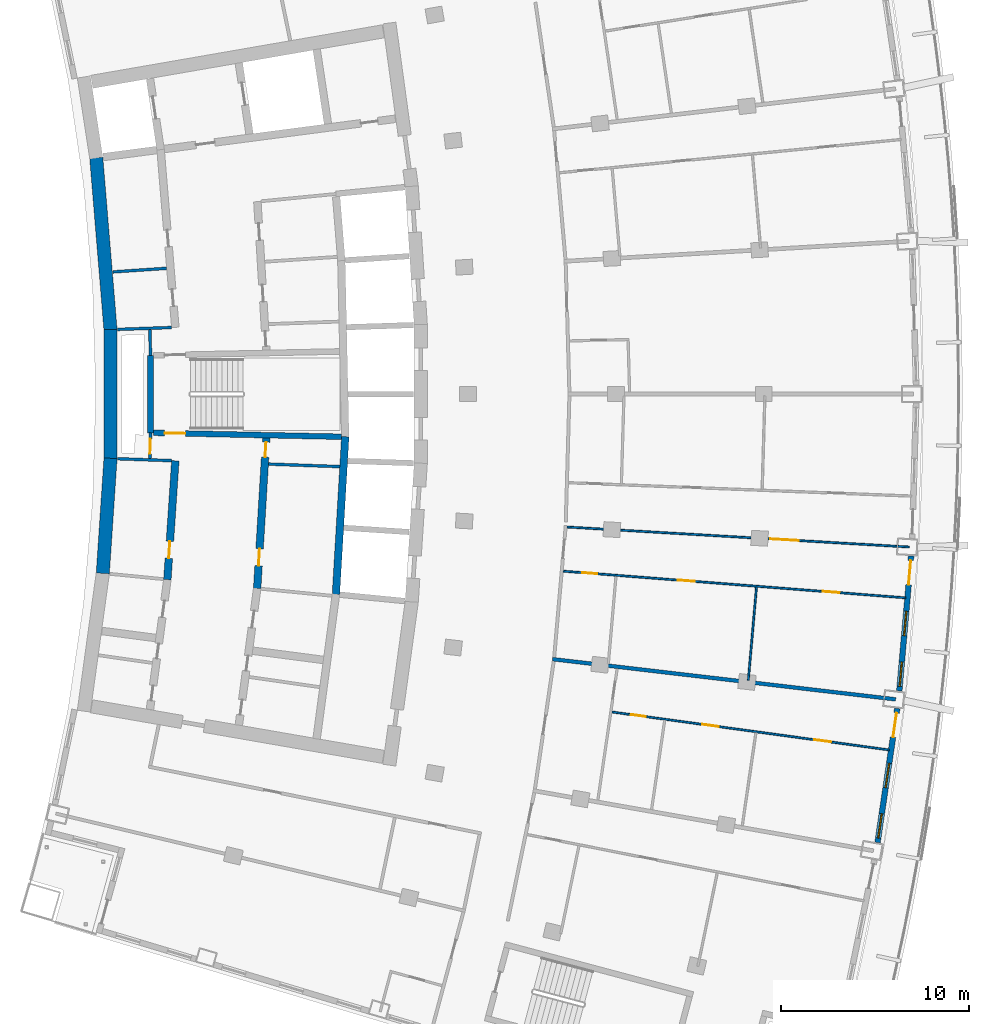
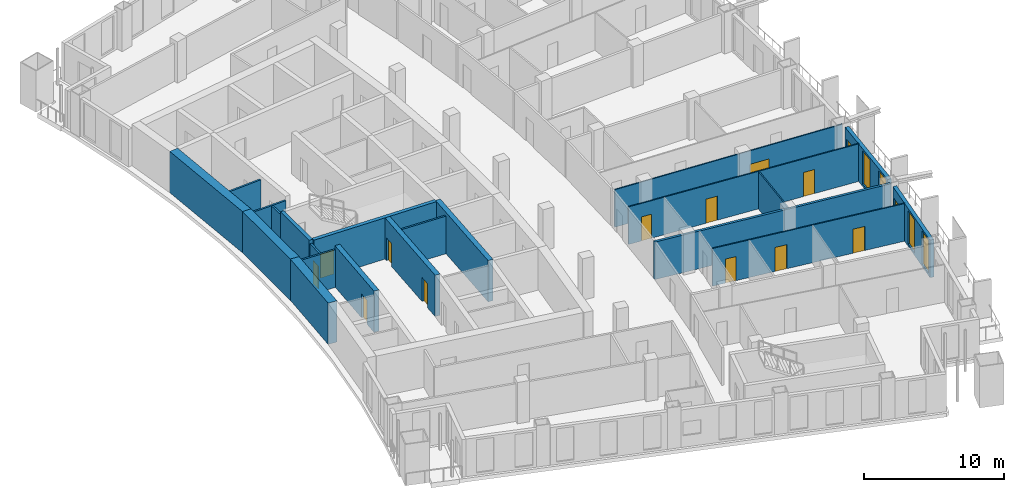
# One storey, part 12 of 20: 21 walls, 14 doors, 4 windows, 18 openings.
"""IFC4 building model written with IfcOpenShell, lengths in metres."""

import ifcopenshell
import ifcopenshell.guid

model = None  # the IFC model being written
_history = None  # IfcOwnerHistory: only IFC2X3 demands one
_inside = {}  # id of a spatial element -> (the spatial element, [elements in it])
_under = {}  # id of a project, library or spatial element -> (it, [spatial elements below it])
_declared = {}  # id of a project -> (the project, [libraries it declares])
_typed = {}  # id of a type object -> (the type object, [elements of that type])
_made_of = {}  # id of a material, layer set ... -> (it, [elements and type objects made of it])


def new_model(schema):
    """Start an empty IFC model of exactly this schema.

    Asked for "IFC4X3", IfcOpenShell would pick the latest addendum, in which some entities
    have other attributes; the version numbers below select the first issue.
    IFC2X3 requires an IfcOwnerHistory on every rooted entity: one is made here for all.
    """
    global model, _history
    if schema == "IFC4X3":
        model = ifcopenshell.file(schema_version=(4, 3, 0, 0))
    else:
        model = ifcopenshell.file(schema=schema)
    _inside.clear()
    _under.clear()
    _declared.clear()
    _typed.clear()
    _made_of.clear()
    _history = None
    if model.schema == "IFC2X3":
        org = make("IfcOrganization", Name="unknown")
        user = make(
            "IfcPersonAndOrganization",
            ThePerson=make("IfcPerson", FamilyName="unknown"),
            TheOrganization=org,
        )
        app = make(
            "IfcApplication",
            ApplicationDeveloper=org,
            Version="unknown",
            ApplicationFullName="unknown",
            ApplicationIdentifier="unknown",
        )
        _history = make(
            "IfcOwnerHistory",
            OwningUser=user,
            OwningApplication=app,
            ChangeAction="ADDED",
            CreationDate=0,
        )
    return model


def make(cls, **values):
    """One entity of the class cls with the attributes given. An attribute that is None is left unset."""
    return model.create_entity(
        cls, **{name: value for name, value in values.items() if value is not None}
    )


def rooted(cls, **values):
    """An entity with a GlobalId (a new one), such as an element, a storey or a relation."""
    return make(cls, GlobalId=ifcopenshell.guid.new(), OwnerHistory=_history, **values)


def si_unit(unit_type, name, prefix=None):
    """IfcSIUnit, for example si_unit("LENGTHUNIT", "METRE", prefix="MILLI")."""
    return make("IfcSIUnit", UnitType=unit_type, Prefix=prefix, Name=name)


def assignment(units):
    """IfcUnitAssignment: the units of a project."""
    return None if units is None else make("IfcUnitAssignment", Units=units)


def point(xyz):
    """IfcCartesianPoint."""
    return None if xyz is None else make("IfcCartesianPoint", Coordinates=xyz)


def direction(xyz):
    """IfcDirection."""
    return None if xyz is None else make("IfcDirection", DirectionRatios=xyz)


def frame(location, z_axis=None, x_axis=None):
    """IfcAxis2Placement3D, a coordinate frame: its origin and axes. An axis left out is left unset."""
    return make(
        "IfcAxis2Placement3D",
        Location=point(location),
        Axis=direction(z_axis),
        RefDirection=direction(x_axis),
    )


def frame_2d(location, x_axis=None):
    """IfcAxis2Placement2D, a coordinate frame in the plane: its origin and x axis."""
    return make(
        "IfcAxis2Placement2D", Location=point(location), RefDirection=direction(x_axis)
    )


def origin():
    """The frame at (0, 0, 0) with its axes left unset."""
    return frame((0.0, 0.0, 0.0))


def place(relative_to, where):
    """IfcLocalPlacement: puts the frame where relative to a parent placement (None: the world)."""
    return make(
        "IfcLocalPlacement", PlacementRelTo=relative_to, RelativePlacement=where
    )


def context(
    kind, dimensions, precision=None, world=None, true_north=None, identifier=None
):
    """IfcGeometricRepresentationContext, for example the 3D "Model" context."""
    return make(
        "IfcGeometricRepresentationContext",
        ContextIdentifier=identifier,
        ContextType=kind,
        CoordinateSpaceDimension=dimensions,
        Precision=precision,
        WorldCoordinateSystem=world,
        TrueNorth=true_north,
    )


def subcontext(parent, identifier, kind, view, scale=None):
    """IfcGeometricRepresentationSubContext, for example "Body" below "Model"."""
    return make(
        "IfcGeometricRepresentationSubContext",
        ContextIdentifier=identifier,
        ContextType=kind,
        ParentContext=parent,
        TargetScale=scale,
        TargetView=view,
    )


def project(units=None, contexts=None):
    """IfcProject with its units and contexts."""
    return rooted(
        "IfcProject",
        Name="project",
        RepresentationContexts=contexts,
        UnitsInContext=assignment(units),
    )


def spatial(cls, under=None, at=None, **own):
    """A site, building, storey or space (cls), placed at a placement, below another one or the project."""
    s = rooted(cls, ObjectPlacement=at, **own)
    if under is not None:
        _under.setdefault(under.id(), (under, []))[1].append(s)
    return s


def profile(cls, at=None, kind="AREA", **sizes):
    """A parametric profile (cls). Its sizes go by their IFC names, for example OverallWidth=200.0."""
    return make(cls, ProfileType=kind, Position=at, **sizes)


def rectangle(**sizes):
    """IfcRectangleProfileDef."""
    return profile("IfcRectangleProfileDef", **sizes)


def extrude(swept, where, along, depth):
    """IfcExtrudedAreaSolid: the profile swept, set in the frame where, extruded along a direction by depth."""
    return make(
        "IfcExtrudedAreaSolid",
        SweptArea=swept,
        Position=where,
        ExtrudedDirection=direction(along),
        Depth=depth,
    )


def shape(context_of_items, identifier, shape_type, items):
    """IfcShapeRepresentation: the items that make up one representation, for example the "Body"."""
    return make(
        "IfcShapeRepresentation",
        ContextOfItems=context_of_items,
        RepresentationIdentifier=identifier,
        RepresentationType=shape_type,
        Items=items,
    )


def material(Name=None, Category=None):
    """IfcMaterial."""
    return make("IfcMaterial", Name=Name, Category=Category)


def layer(
    of_material, thickness, ventilated=None, Name=None, Category=None, Priority=None
):
    """IfcMaterialLayer: one layer of a wall or slab, of a material (None: an air gap)."""
    return make(
        "IfcMaterialLayer",
        Material=of_material,
        LayerThickness=thickness,
        IsVentilated=ventilated,
        Name=Name,
        Category=Category,
        Priority=Priority,
    )


def layer_set(layers, Name=None):
    """IfcMaterialLayerSet."""
    return make("IfcMaterialLayerSet", MaterialLayers=layers, LayerSetName=Name)


def made_of(thing, what):
    """Note that an element or type object is made of a material, layer set ...; save() writes the relation."""
    if what is not None:
        _made_of.setdefault(what.id(), (what, []))[1].append(thing)
    return thing


def type_object(cls, material=None, **own):
    """A type object (cls), such as IfcWallType, which elements share."""
    return made_of(rooted(cls, **own), material)


def element(
    cls,
    number,
    at=None,
    inside=None,
    cuts=None,
    type_object=None,
    material=None,
    context=None,
    identifier="Body",
    shape_type=None,
    held_by="IfcProductDefinitionShape",
    body=None,
    shapes=None,
    **own,
):
    """One element of the class cls, such as IfcWall. Its Tag is "e" and its number.

    at: its placement. inside: the storey or other place that contains it. cuts: it is an
    opening in that element (IfcRelVoidsElement). A single representation is given by context,
    identifier, shape_type and body (its items); several are given by shapes. held_by: the class
    of the entity that holds the representations. save() writes the other relations.
    """
    e = rooted(cls, Tag="e%d" % number, ObjectPlacement=at, **own)
    if body is not None:
        shapes = [shape(context, identifier, shape_type, body)]
    if shapes is not None:
        e.Representation = make(held_by, Representations=shapes)
    if inside is not None:
        _inside.setdefault(inside.id(), (inside, []))[1].append(e)
    if cuts is not None:
        rooted(
            "IfcRelVoidsElement", RelatingBuildingElement=cuts, RelatedOpeningElement=e
        )
    if type_object is not None:
        _typed.setdefault(type_object.id(), (type_object, []))[1].append(e)
    return made_of(e, material)


def fill(opening, filler):
    """IfcRelFillsElement: the door or window that sits in an opening."""
    return rooted(
        "IfcRelFillsElement",
        RelatingOpeningElement=opening,
        RelatedBuildingElement=filler,
    )


def aggregate(whole, parts):
    """IfcRelAggregates: a whole, such as a stair, and the parts it consists of."""
    return rooted("IfcRelAggregates", RelatingObject=whole, RelatedObjects=parts)


def save(model, path):
    """Write the relations noted so far, then the file.

    IfcRelAggregates (storeys below a building ...), IfcRelContainedInSpatialStructure (elements
    in a storey), IfcRelDefinesByType, IfcRelAssociatesMaterial and IfcRelDeclares: one each for
    every whole, place, type object, material and project.
    """
    for whole, parts in _under.values():
        aggregate(whole, parts)
    for where, things in _inside.values():
        rooted(
            "IfcRelContainedInSpatialStructure",
            RelatedElements=things,
            RelatingStructure=where,
        )
    for kind, things in _typed.values():
        rooted("IfcRelDefinesByType", RelatedObjects=things, RelatingType=kind)
    for what, things in _made_of.values():
        rooted("IfcRelAssociatesMaterial", RelatedObjects=things, RelatingMaterial=what)
    for by, libraries in _declared.values():
        rooted("IfcRelDeclares", RelatingContext=by, RelatedDefinitions=libraries)
    model.write(path)


model = new_model("IFC4")

# Units and contexts
model_context = context("Model", 3, precision=1e-05, world=origin(), true_north=direction((0.0, 1.0)))
body_context = subcontext(model_context, "Body", "Model", "MODEL_VIEW")
ifc_project = project(units=[si_unit("LENGTHUNIT", "METRE"), si_unit("AREAUNIT", "SQUARE_METRE"), si_unit("VOLUMEUNIT", "CUBIC_METRE"), si_unit("PLANEANGLEUNIT", "RADIAN"), si_unit("MASSUNIT", "GRAM", prefix="KILO")], contexts=[model_context])

# Site, building, storey
site_placement = place(None, origin())
site = spatial("IfcSite", under=ifc_project, at=site_placement, CompositionType="ELEMENT")
building_placement = place(site_placement, origin())
building = spatial("IfcBuilding", under=site, at=building_placement, Name="Alderwake Tower", CompositionType="ELEMENT")
storey_placement = place(building_placement, frame((0.0, 0.0, 164.0)))
storey = spatial("IfcBuildingStorey", under=building, at=storey_placement, Name="L40", CompositionType="ELEMENT", Elevation=164.0)

# Wall
ifc_material_1 = material(Name="Gypsum shaft wall system, rated")
ifc_layer_1 = layer(ifc_material_1, 0.14990234375)
ifc_layer_set_1 = layer_set([ifc_layer_1], Name="Core riser partition 150")
wall_type_1 = type_object("IfcWallType", Name="Core riser partition 150", PredefinedType="PARTITIONING", material=ifc_layer_set_1)
wall_1_placement = place(storey_placement, frame((25.1904296875, 57.276611328125, 0.0), z_axis=(0.0, 0.0, 1.0), x_axis=(0.999373547283, -0.03539086028, 0.0)))
element("IfcWall", 1, at=wall_1_placement, inside=storey, type_object=wall_type_1, Name="CW/L40/PR-37_+86", PredefinedType="PARTITIONING", context=body_context, shape_type="SweptSolid", body=[
    extrude(rectangle(XDim=3.794189453125, YDim=0.14990234375, at=frame_2d((1.89697265625, 0.0))), origin(), (0.0, 0.0, 1.0), 3.280029296875),
])

# Wall, opening, door
ifc_material_2 = material(Name="Gypsum shaft wall system, rated")
ifc_layer_2 = layer(ifc_material_2, 0.14990234375)
ifc_layer_set_2 = layer_set([ifc_layer_2], Name="Core room partition 150")
wall_type_2 = type_object("IfcWallType", Name="Core room partition 150", PredefinedType="PARTITIONING", material=ifc_layer_set_2)
wall_2_placement = place(storey_placement, frame((18.918701171875, 58.94384765625, 0.0), z_axis=(0.0, 0.0, 1.0), x_axis=(-0.027811602725, -0.999613182563, 0.0)))
wall_2 = element("IfcWall", 2, at=wall_2_placement, inside=storey, type_object=wall_type_2, Name="CW/L40/PA+24_-37", PredefinedType="PARTITIONING", context=body_context, shape_type="SweptSolid", body=[
    extrude(rectangle(XDim=1.369384765625, YDim=0.14990234375, at=frame_2d((0.6845703125, 0.0))), origin(), (0.0, 0.0, 1.0), 3.280029296875),
])
opening_1_placement = place(wall_2_placement, frame((0.322998046875, 0.0, 0.0)))
opening_1 = element("IfcOpeningElement", 3, at=opening_1_placement, cuts=wall_2, Name="Opening C004", PredefinedType="OPENING", context=body_context, shape_type="SweptSolid", body=[
    extrude(rectangle(XDim=0.800048828125, YDim=2.0, at=frame_2d((0.39990234375, 1.0))), frame((0.0, 0.0849609375, 0.0), z_axis=(0.0, -1.0, 0.0), x_axis=(1.0, 0.0, 0.0)), (0.0, 0.0, 1.0), 0.169921875),
])
ifc_material_3 = material(Name="Painted steel leaf, rated", Category="steel")
door_type_1 = type_object("IfcDoorType", Name="Riser access door 800", OperationType="SINGLE_SWING_LEFT", PredefinedType="DOOR", material=ifc_material_3)
door_1_placement = place(opening_1_placement, origin())
door_1 = element("IfcDoor", 4, at=door_1_placement, inside=storey, type_object=door_type_1, Name="Riser access door", OperationType="SINGLE_SWING_RIGHT", OverallHeight=2.0, OverallWidth=0.800048828125, PredefinedType="DOOR", context=body_context, shape_type="SweptSolid", body=[
    extrude(rectangle(XDim=0.800048828125, YDim=2.0, at=frame_2d((0.39990234375, 1.0))), frame((0.0, 0.02490234375, 0.0), z_axis=(0.0, -1.0, 0.0), x_axis=(1.0, 0.0, 0.0)), (0.0, 0.0, 1.0), 0.050048828125),
])
fill(opening_1, door_1)

# Walls
wall_3_placement = place(storey_placement, frame((18.918701171875, 63.05517578125, 0.0), z_axis=(0.0, 0.0, 1.0), x_axis=(-0.027791791559, 0.99961373356, 0.0)))
element("IfcWall", 5, at=wall_3_placement, inside=storey, type_object=wall_type_2, Name="CW/L40/PA+24_+22", PredefinedType="PARTITIONING", context=body_context, shape_type="SweptSolid", body=[
    extrude(rectangle(XDim=1.370361328125, YDim=0.14990234375, at=frame_2d((0.68505859375, 0.0))), origin(), (0.0, 0.0, 1.0), 3.280029296875),
])
wall_4_placement = place(storey_placement, frame((17.169189453125, 57.560546875, 0.0), z_axis=(0.0, 0.0, 1.0), x_axis=(0.999373538371, -0.03539111194, 0.0)))
element("IfcWall", 6, at=wall_4_placement, inside=storey, type_object=wall_type_2, Name="CW/L40/PR-37_+0", PredefinedType="PARTITIONING", context=body_context, shape_type="SweptSolid", body=[
    extrude(rectangle(XDim=2.86962890625, YDim=0.14990234375, at=frame_2d((1.434814453125, 0.0))), origin(), (0.0, 0.0, 1.0), 3.280029296875),
])
wall_5_placement = place(storey_placement, frame((17.16943359375, 64.439453125, 0.0), z_axis=(0.0, 0.0, 1.0), x_axis=(0.999373431798, 0.035394121201, 0.0)))
element("IfcWall", 7, at=wall_5_placement, inside=storey, type_object=wall_type_2, Name="CW/L40/PR+37_+0", PredefinedType="PARTITIONING", context=body_context, shape_type="SweptSolid", body=[
    extrude(rectangle(XDim=2.869384765625, YDim=0.14990234375, at=frame_2d((1.4345703125, 0.0))), origin(), (0.0, 0.0, 1.0), 3.280029296875),
])
wall_6_placement = place(storey_placement, frame((16.916015625, 67.497314453125, 0.0), z_axis=(0.0, 0.0, 1.0), x_axis=(0.997762488798, 0.066858177867, 0.0)))
element("IfcWall", 8, at=wall_6_placement, inside=storey, type_object=wall_type_2, Name="CW/L40/PR+70_+0", PredefinedType="PARTITIONING", context=body_context, shape_type="SweptSolid", body=[
    extrude(rectangle(XDim=2.866455078125, YDim=0.14990234375, at=frame_2d((1.43310546875, 0.0))), origin(), (0.0, 0.0, 1.0), 3.280029296875),
])
ifc_material_4 = material(Name="Concrete C70/85", Category="concrete")
ifc_layer_3 = layer(ifc_material_4, 0.699951171875)
ifc_layer_set_3 = layer_set([ifc_layer_3], Name="Core wall outer 700 C70-85")
wall_type_3 = type_object("IfcWallType", Name="Core wall outer 700 C70-85", PredefinedType="SHEAR", material=ifc_layer_set_3)
wall_7_placement = place(storey_placement, frame((16.379638671875, 51.46337890625, 0.0), z_axis=(0.0, 0.0, 1.0), x_axis=(0.066917731608, 0.997758496429, 0.0)))
element("IfcWall", 9, at=wall_7_placement, inside=storey, type_object=wall_type_3, Name="Core wall CW.041", PredefinedType="SHEAR", context=body_context, shape_type="SweptSolid", body=[
    extrude(rectangle(XDim=6.136474609375, YDim=0.699951171875, at=frame_2d((3.068359375, 0.0))), origin(), (0.0, 0.0, 1.0), 3.60009765625),
])
wall_8_placement = place(storey_placement, frame((16.789306640625, 57.561767578125, 0.0), z_axis=(0.0, 0.0, 1.0), x_axis=(0.0, 1.0, 0.0)))
element("IfcWall", 10, at=wall_8_placement, inside=storey, type_object=wall_type_3, Name="Core wall CW.043", PredefinedType="SHEAR", context=body_context, shape_type="SweptSolid", body=[
    extrude(rectangle(XDim=6.87939453125, YDim=0.699951171875, at=frame_2d((3.439697265625, 0.0))), origin(), (0.0, 0.0, 1.0), 3.60009765625),
])
wall_9_placement = place(storey_placement, frame((16.79052734375, 64.4111328125, 0.0), z_axis=(0.0, 0.0, 1.0), x_axis=(-0.082616907099, 0.996581379849, 0.0)))
element("IfcWall", 11, at=wall_9_placement, inside=storey, type_object=wall_type_3, Name="Core wall CW.040", PredefinedType="SHEAR", context=body_context, shape_type="SweptSolid", body=[
    extrude(rectangle(XDim=9.193359375, YDim=0.699951171875, at=frame_2d((4.5966796875, 0.0))), origin(), (0.0, 0.0, 1.0), 3.60009765625),
])

# Wall, opening, door
ifc_material_5 = material(Name="Concrete C70/85", Category="concrete")
ifc_layer_4 = layer(ifc_material_5, 0.39990234375)
ifc_layer_set_4 = layer_set([ifc_layer_4], Name="Core wall spine 400 C70-85")
wall_type_4 = type_object("IfcWallType", Name="Core wall spine 400 C70-85", PredefinedType="SHEAR", material=ifc_layer_set_4)
wall_10_placement = place(storey_placement, frame((20.2373046875, 57.451904296875, 0.0), z_axis=(0.0, 0.0, 1.0), x_axis=(-0.066887252767, -0.997760540118, 0.0)))
wall_10 = element("IfcWall", 12, at=wall_10_placement, inside=storey, type_object=wall_type_4, Name="Core wall CW.032", PredefinedType="SHEAR", context=body_context, shape_type="SweptSolid", body=[
    extrude(rectangle(XDim=6.33642578125, YDim=0.39990234375, at=frame_2d((3.168212890625, 0.0))), origin(), (0.0, 0.0, 1.0), 3.60009765625),
])
opening_2_placement = place(wall_10_placement, frame((4.29736328125, 0.0, 0.0)))
opening_2 = element("IfcOpeningElement", 13, at=opening_2_placement, cuts=wall_10, Name="Opening C040", PredefinedType="OPENING", context=body_context, shape_type="SweptSolid", body=[
    extrude(rectangle(XDim=0.89990234375, YDim=2.10009765625, at=frame_2d((0.449951171875, 1.050048828125))), frame((0.0, 0.2099609375, 0.0), z_axis=(0.0, -1.0, 0.0), x_axis=(1.0, 0.0, 0.0)), (0.0, 0.0, 1.0), 0.419921875),
])
ifc_material_6 = material(Name="Painted steel leaf", Category="steel")
door_type_2 = type_object("IfcDoorType", Name="Core room door 900", OperationType="SINGLE_SWING_LEFT", PredefinedType="DOOR", material=ifc_material_6)
door_2_placement = place(opening_2_placement, origin())
door_2 = element("IfcDoor", 14, at=door_2_placement, inside=storey, type_object=door_type_2, Name="Room door", OperationType="SINGLE_SWING_RIGHT", OverallHeight=2.10009765625, OverallWidth=0.89990234375, PredefinedType="DOOR", context=body_context, shape_type="SweptSolid", body=[
    extrude(rectangle(XDim=0.89990234375, YDim=2.10009765625, at=frame_2d((0.449951171875, 1.050048828125))), frame((0.0, 0.02490234375, 0.0), z_axis=(0.0, -1.0, 0.0), x_axis=(1.0, 0.0, 0.0)), (0.0, 0.0, 1.0), 0.050048828125),
])
fill(opening_2, door_2)

# Wall, openings, doors
wall_11_placement = place(storey_placement, frame((24.590087890625, 50.656982421875, 0.0), z_axis=(0.0, 0.0, 1.0), x_axis=(0.060320473855, 0.99817906231, 0.0)))
wall_11 = element("IfcWall", 15, at=wall_11_placement, inside=storey, type_object=wall_type_4, Name="Core wall CW.046", PredefinedType="SHEAR", context=body_context, shape_type="SweptSolid", body=[
    extrude(rectangle(XDim=8.02197265625, YDim=0.39990234375, at=frame_2d((4.010986328125, 0.0))), origin(), (0.0, 0.0, 1.0), 3.60009765625),
])
opening_3_placement = place(wall_11_placement, frame((7.005859375, 0.0, 0.0)))
opening_3 = element("IfcOpeningElement", 16, at=opening_3_placement, cuts=wall_11, Name="Opening C006", PredefinedType="OPENING", context=body_context, shape_type="SweptSolid", body=[
    extrude(rectangle(XDim=0.800048828125, YDim=2.0, at=frame_2d((0.39990234375, 1.0))), frame((0.0, 0.2099609375, 0.0), z_axis=(0.0, -1.0, 0.0), x_axis=(1.0, 0.0, 0.0)), (0.0, 0.0, 1.0), 0.419921875),
])
opening_4_placement = place(wall_11_placement, frame((1.21533203125, 0.0, 0.0)))
opening_4 = element("IfcOpeningElement", 17, at=opening_4_placement, cuts=wall_11, Name="Opening C046", PredefinedType="OPENING", context=body_context, shape_type="SweptSolid", body=[
    extrude(rectangle(XDim=0.89990234375, YDim=2.10009765625, at=frame_2d((0.449951171875, 1.050048828125))), frame((0.0, 0.2099609375, 0.0), z_axis=(0.0, -1.0, 0.0), x_axis=(1.0, 0.0, 0.0)), (0.0, 0.0, 1.0), 0.419921875),
])
door_3_placement = place(opening_4_placement, origin())
door_3 = element("IfcDoor", 18, at=door_3_placement, inside=storey, type_object=door_type_2, Name="Room door", OperationType="SINGLE_SWING_RIGHT", OverallHeight=2.10009765625, OverallWidth=0.89990234375, PredefinedType="DOOR", context=body_context, shape_type="SweptSolid", body=[
    extrude(rectangle(XDim=0.89990234375, YDim=2.10009765625, at=frame_2d((0.449951171875, 1.050048828125))), frame((0.0, 0.02490234375, 0.0), z_axis=(0.0, -1.0, 0.0), x_axis=(1.0, 0.0, 0.0)), (0.0, 0.0, 1.0), 0.050048828125),
])
fill(opening_4, door_3)
door_4_placement = place(opening_3_placement, origin())
door_4 = element("IfcDoor", 19, at=door_4_placement, inside=storey, type_object=door_type_1, Name="Riser access door", OperationType="SINGLE_SWING_RIGHT", OverallHeight=2.0, OverallWidth=0.800048828125, PredefinedType="DOOR", context=body_context, shape_type="SweptSolid", body=[
    extrude(rectangle(XDim=0.800048828125, YDim=2.0, at=frame_2d((0.39990234375, 1.0))), frame((0.0, 0.02490234375, 0.0), z_axis=(0.0, -1.0, 0.0), x_axis=(1.0, 0.0, 0.0)), (0.0, 0.0, 1.0), 0.050048828125),
])
fill(opening_3, door_4)

# Walls
wall_12_placement = place(storey_placement, frame((28.780029296875, 50.347900390625, 0.0), z_axis=(0.0, 0.0, 1.0), x_axis=(0.059130817733, 0.998250242371, 0.0)))
element("IfcWall", 20, at=wall_12_placement, inside=storey, type_object=wall_type_4, Name="Core wall CW.004", PredefinedType="SHEAR", context=body_context, shape_type="SweptSolid", body=[
    extrude(rectangle(XDim=8.402099609375, YDim=0.39990234375, at=frame_2d((4.201171875, 0.0))), origin(), (0.0, 0.0, 1.0), 3.60009765625),
])
ifc_material_7 = material(Name="Concrete C70/85", Category="concrete")
ifc_layer_5 = layer(ifc_material_7, 0.300048828125)
ifc_layer_set_5 = layer_set([ifc_layer_5], Name="Core wall stair enclosure 300 C70-85")
wall_type_5 = type_object("IfcWallType", Name="Core wall stair enclosure 300 C70-85", PredefinedType="SHEAR", material=ifc_layer_set_5)
wall_13_placement = place(storey_placement, frame((18.918701171875, 58.940673828125, 0.0), z_axis=(0.0, 0.0, 1.0), x_axis=(0.0, 1.0, 0.0)))
element("IfcWall", 21, at=wall_13_placement, inside=storey, type_object=wall_type_5, Name="Core wall CW.024", PredefinedType="SHEAR", context=body_context, shape_type="SweptSolid", body=[
    extrude(rectangle(XDim=4.11962890625, YDim=0.300048828125, at=frame_2d((2.059814453125, 0.0))), origin(), (0.0, 0.0, 1.0), 3.60009765625),
])

# Wall, opening, door
wall_14_placement = place(storey_placement, frame((29.076416015625, 58.73095703125, 0.0), z_axis=(0.0, 0.0, 1.0), x_axis=(-0.99978356433, 0.020804434533, 0.0)))
wall_14 = element("IfcWall", 22, at=wall_14_placement, inside=storey, type_object=wall_type_5, Name="Core wall CW.074", PredefinedType="SHEAR", context=body_context, shape_type="SweptSolid", body=[
    extrude(rectangle(XDim=10.010009765625, YDim=0.300048828125, at=frame_2d((5.0048828125, 0.0))), origin(), (0.0, 0.0, 1.0), 3.60009765625),
])
opening_5_placement = place(wall_14_placement, frame((8.309814453125, 0.0, 0.0)))
opening_5 = element("IfcOpeningElement", 23, at=opening_5_placement, cuts=wall_14, Name="Opening C063", PredefinedType="OPENING", context=body_context, shape_type="SweptSolid", body=[
    extrude(rectangle(XDim=1.10009765625, YDim=2.10009765625, at=frame_2d((0.550048828125, 1.050048828125))), frame((0.0, 0.159912109375, 0.0), z_axis=(0.0, -1.0, 0.0), x_axis=(1.0, 0.0, 0.0)), (0.0, 0.0, 1.0), 0.320068359375),
])
ifc_material_8 = material(Name="Steel-framed fire door leaf", Category="steel")
door_type_3 = type_object("IfcDoorType", Name="Core stair door 1100 fire-rated", OperationType="SINGLE_SWING_LEFT", PredefinedType="DOOR", material=ifc_material_8)
door_5_placement = place(opening_5_placement, origin())
door_5 = element("IfcDoor", 24, at=door_5_placement, inside=storey, type_object=door_type_3, Name="Stair door", OperationType="SINGLE_SWING_RIGHT", OverallHeight=2.10009765625, OverallWidth=1.10009765625, PredefinedType="DOOR", context=body_context, shape_type="SweptSolid", body=[
    extrude(rectangle(XDim=1.10009765625, YDim=2.10009765625, at=frame_2d((0.550048828125, 1.050048828125))), frame((0.0, 0.02490234375, 0.0), z_axis=(0.0, -1.0, 0.0), x_axis=(1.0, 0.0, 0.0)), (0.0, 0.0, 1.0), 0.050048828125),
])
fill(opening_5, door_5)

# Wall, openings, door, windows
ifc_material_9 = material(Name="Precast concrete C50/60 spandrel panel", Category="concrete")
ifc_layer_6 = layer(ifc_material_9, 0.300048828125)
ifc_layer_set_6 = layer_set([ifc_layer_6], Name="External wall EW1 Precast concrete C50/60 spandrel")
wall_type_6 = type_object("IfcWallType", Name="External wall EW1 Precast concrete C50/60 spandrel", PredefinedType="SOLIDWALL", material=ifc_layer_set_6)
wall_15_placement = place(storey_placement, frame((57.585693359375, 37.15380859375, 0.0), z_axis=(0.0, 0.0, 1.0), x_axis=(0.145318248107, 0.989384963888, 0.0)))
wall_15 = element("IfcWall", 25, at=wall_15_placement, inside=storey, type_object=wall_type_6, Name="External wall 13", PredefinedType="SOLIDWALL", context=body_context, shape_type="SweptSolid", body=[
    extrude(rectangle(XDim=7.198974609375, YDim=0.300048828125, at=frame_2d((3.599609375, 0.0))), origin(), (0.0, 0.0, 1.0), 3.280029296875),
])
opening_6_placement = place(wall_15_placement, frame((0.2392578125, 0.0, 0.199951171875)))
opening_6 = element("IfcOpeningElement", 26, at=opening_6_placement, cuts=wall_15, Name="Opening W1", PredefinedType="OPENING", context=body_context, shape_type="SweptSolid", body=[
    extrude(rectangle(XDim=1.300048828125, YDim=2.89990234375, at=frame_2d((0.64990234375, 1.449951171875))), frame((0.0, 0.159912109375, 0.0), z_axis=(0.0, -1.0, 0.0), x_axis=(1.0, 0.0, 0.0)), (0.0, 0.0, 1.0), 0.320068359375),
])
opening_7_placement = place(wall_15_placement, frame((2.949462890625, 0.0, 0.199951171875)))
opening_7 = element("IfcOpeningElement", 27, at=opening_7_placement, cuts=wall_15, Name="Opening W1", PredefinedType="OPENING", context=body_context, shape_type="SweptSolid", body=[
    extrude(rectangle(XDim=1.300048828125, YDim=2.89990234375, at=frame_2d((0.64990234375, 1.449951171875))), frame((0.0, 0.159912109375, 0.0), z_axis=(0.0, -1.0, 0.0), x_axis=(1.0, 0.0, 0.0)), (0.0, 0.0, 1.0), 0.320068359375),
])
opening_8_placement = place(wall_15_placement, frame((5.65966796875, 0.0, 0.0)))
opening_8 = element("IfcOpeningElement", 28, at=opening_8_placement, cuts=wall_15, Name="Opening D03", PredefinedType="OPENING", context=body_context, shape_type="SweptSolid", body=[
    extrude(rectangle(XDim=1.300048828125, YDim=2.39990234375, at=frame_2d((0.64990234375, 1.199951171875))), frame((0.0, 0.159912109375, 0.0), z_axis=(0.0, -1.0, 0.0), x_axis=(1.0, 0.0, 0.0)), (0.0, 0.0, 1.0), 0.320068359375),
])
ifc_material_10 = material(Name="Bronze tinted glass in aluminium frame", Category="aluminium")
door_type_4 = type_object("IfcDoorType", Name="Balcony door BD sliding", OperationType="SLIDING_TO_LEFT", PredefinedType="DOOR", material=ifc_material_10)
door_6_placement = place(opening_8_placement, origin())
door_6 = element("IfcDoor", 29, at=door_6_placement, inside=storey, type_object=door_type_4, Name="Door D03", OperationType="SLIDING_TO_LEFT", OverallHeight=2.39990234375, OverallWidth=1.300048828125, PredefinedType="DOOR", context=body_context, shape_type="SweptSolid", body=[
    extrude(rectangle(XDim=1.300048828125, YDim=2.39990234375, at=frame_2d((0.64990234375, 1.199951171875))), frame((0.0, 0.02490234375, 0.0), z_axis=(0.0, -1.0, 0.0), x_axis=(1.0, 0.0, 0.0)), (0.0, 0.0, 1.0), 0.050048828125),
])
fill(opening_8, door_6)
ifc_material_11 = material(Name="Bronze tinted glass in aluminium frame", Category="aluminium")
window_type = type_object("IfcWindowType", Name="Window W1 tall fixed and vent", PartitioningType="DOUBLE_PANEL_VERTICAL", PredefinedType="WINDOW", material=ifc_material_11)
window_1_placement = place(opening_6_placement, origin())
window_1 = element("IfcWindow", 30, at=window_1_placement, inside=storey, type_object=window_type, Name="Window W1 tall fixed and vent", OverallHeight=2.89990234375, OverallWidth=1.300048828125, PartitioningType="DOUBLE_PANEL_VERTICAL", PredefinedType="WINDOW", context=body_context, shape_type="SweptSolid", body=[
    extrude(rectangle(XDim=1.300048828125, YDim=2.89990234375, at=frame_2d((0.64990234375, 1.449951171875))), frame((0.0, 0.030029296875, 0.0), z_axis=(0.0, -1.0, 0.0), x_axis=(1.0, 0.0, 0.0)), (0.0, 0.0, 1.0), 0.06005859375),
])
fill(opening_6, window_1)
window_2_placement = place(opening_7_placement, origin())
window_2 = element("IfcWindow", 31, at=window_2_placement, inside=storey, type_object=window_type, Name="Window W1 tall fixed and vent", OverallHeight=2.89990234375, OverallWidth=1.300048828125, PartitioningType="DOUBLE_PANEL_VERTICAL", PredefinedType="WINDOW", context=body_context, shape_type="SweptSolid", body=[
    extrude(rectangle(XDim=1.300048828125, YDim=2.89990234375, at=frame_2d((0.64990234375, 1.449951171875))), frame((0.0, 0.030029296875, 0.0), z_axis=(0.0, -1.0, 0.0), x_axis=(1.0, 0.0, 0.0)), (0.0, 0.0, 1.0), 0.06005859375),
])
fill(opening_7, window_2)

wall_16_placement = place(storey_placement, frame((58.741943359375, 45.2158203125, 0.0), z_axis=(0.0, 0.0, 1.0), x_axis=(0.087397918497, 0.996173480797, 0.0)))
wall_16 = element("IfcWall", 32, at=wall_16_placement, inside=storey, type_object=wall_type_6, Name="External wall 14", PredefinedType="SOLIDWALL", context=body_context, shape_type="SweptSolid", body=[
    extrude(rectangle(XDim=7.19873046875, YDim=0.300048828125, at=frame_2d((3.599365234375, 0.0))), origin(), (0.0, 0.0, 1.0), 3.280029296875),
])
opening_9_placement = place(wall_16_placement, frame((0.2392578125, 0.0, 0.199951171875)))
opening_9 = element("IfcOpeningElement", 33, at=opening_9_placement, cuts=wall_16, Name="Opening W1", PredefinedType="OPENING", context=body_context, shape_type="SweptSolid", body=[
    extrude(rectangle(XDim=1.300048828125, YDim=2.89990234375, at=frame_2d((0.64990234375, 1.449951171875))), frame((0.0, 0.159912109375, 0.0), z_axis=(0.0, -1.0, 0.0), x_axis=(1.0, 0.0, 0.0)), (0.0, 0.0, 1.0), 0.320068359375),
])
opening_10_placement = place(wall_16_placement, frame((2.949462890625, 0.0, 0.199951171875)))
opening_10 = element("IfcOpeningElement", 34, at=opening_10_placement, cuts=wall_16, Name="Opening W1", PredefinedType="OPENING", context=body_context, shape_type="SweptSolid", body=[
    extrude(rectangle(XDim=1.300048828125, YDim=2.89990234375, at=frame_2d((0.64990234375, 1.449951171875))), frame((0.0, 0.159912109375, 0.0), z_axis=(0.0, -1.0, 0.0), x_axis=(1.0, 0.0, 0.0)), (0.0, 0.0, 1.0), 0.320068359375),
])
opening_11_placement = place(wall_16_placement, frame((5.65966796875, 0.0, 0.0)))
opening_11 = element("IfcOpeningElement", 35, at=opening_11_placement, cuts=wall_16, Name="Opening D04", PredefinedType="OPENING", context=body_context, shape_type="SweptSolid", body=[
    extrude(rectangle(XDim=1.300048828125, YDim=2.39990234375, at=frame_2d((0.64990234375, 1.199951171875))), frame((0.0, 0.159912109375, 0.0), z_axis=(0.0, -1.0, 0.0), x_axis=(1.0, 0.0, 0.0)), (0.0, 0.0, 1.0), 0.320068359375),
])
door_7_placement = place(opening_11_placement, origin())
door_7 = element("IfcDoor", 36, at=door_7_placement, inside=storey, type_object=door_type_4, Name="Door D04", OperationType="SLIDING_TO_LEFT", OverallHeight=2.39990234375, OverallWidth=1.300048828125, PredefinedType="DOOR", context=body_context, shape_type="SweptSolid", body=[
    extrude(rectangle(XDim=1.300048828125, YDim=2.39990234375, at=frame_2d((0.64990234375, 1.199951171875))), frame((0.0, 0.02490234375, 0.0), z_axis=(0.0, -1.0, 0.0), x_axis=(1.0, 0.0, 0.0)), (0.0, 0.0, 1.0), 0.050048828125),
])
fill(opening_11, door_7)
window_3_placement = place(opening_9_placement, origin())
window_3 = element("IfcWindow", 37, at=window_3_placement, inside=storey, type_object=window_type, Name="Window W1 tall fixed and vent", OverallHeight=2.89990234375, OverallWidth=1.300048828125, PartitioningType="DOUBLE_PANEL_VERTICAL", PredefinedType="WINDOW", context=body_context, shape_type="SweptSolid", body=[
    extrude(rectangle(XDim=1.300048828125, YDim=2.89990234375, at=frame_2d((0.64990234375, 1.449951171875))), frame((0.0, 0.030029296875, 0.0), z_axis=(0.0, -1.0, 0.0), x_axis=(1.0, 0.0, 0.0)), (0.0, 0.0, 1.0), 0.06005859375),
])
fill(opening_9, window_3)
window_4_placement = place(opening_10_placement, origin())
window_4 = element("IfcWindow", 38, at=window_4_placement, inside=storey, type_object=window_type, Name="Window W1 tall fixed and vent", OverallHeight=2.89990234375, OverallWidth=1.300048828125, PartitioningType="DOUBLE_PANEL_VERTICAL", PredefinedType="WINDOW", context=body_context, shape_type="SweptSolid", body=[
    extrude(rectangle(XDim=1.300048828125, YDim=2.89990234375, at=frame_2d((0.64990234375, 1.449951171875))), frame((0.0, 0.030029296875, 0.0), z_axis=(0.0, -1.0, 0.0), x_axis=(1.0, 0.0, 0.0)), (0.0, 0.0, 1.0), 0.06005859375),
])
fill(opening_10, window_4)

# Wall
ifc_material_12 = material(Name="Dense block masonry wall", Category="masonry")
ifc_layer_7 = layer(ifc_material_12, 0.199951171875)
ifc_layer_set_7 = layer_set([ifc_layer_7], Name="Party wall 200")
wall_type_7 = type_object("IfcWallType", Name="Party wall 200", PredefinedType="SOLIDWALL", material=ifc_layer_set_7)
wall_17_placement = place(storey_placement, frame((58.551025390625, 44.762939453125, 0.0), z_axis=(0.0, 0.0, 1.0), x_axis=(-0.993201379806, 0.116408844812, 0.0)))
element("IfcWall", 39, at=wall_17_placement, inside=storey, type_object=wall_type_7, Name="WL/L40/W03", PredefinedType="SOLIDWALL", context=body_context, shape_type="SweptSolid", body=[
    extrude(rectangle(XDim=18.37841796875, YDim=0.199951171875, at=frame_2d((9.189208984375, 0.0))), origin(), (0.0, 0.0, 1.0), 3.280029296875),
])

# Wall, openings, doors
ifc_material_13 = material(Name="Gypsum board on metal studs")
ifc_layer_8 = layer(ifc_material_13, 0.10009765625)
ifc_layer_set_8 = layer_set([ifc_layer_8], Name="Unit partition 100")
wall_type_8 = type_object("IfcWallType", Name="Unit partition 100", PredefinedType="PARTITIONING", material=ifc_layer_set_8)
wall_18_placement = place(storey_placement, frame((59.075927734375, 50.1630859375, 0.0), z_axis=(0.0, 0.0, 1.0), x_axis=(-0.996978274277, 0.077680889673, 0.0)))
wall_18 = element("IfcWall", 40, at=wall_18_placement, inside=storey, type_object=wall_type_8, Name="WL/L40/W45", PredefinedType="PARTITIONING", context=body_context, shape_type="SweptSolid", body=[
    extrude(rectangle(XDim=18.26318359375, YDim=0.10009765625, at=frame_2d((9.131591796875, 0.0))), origin(), (0.0, 0.0, 1.0), 3.280029296875),
])
opening_12_placement = place(wall_18_placement, frame((11.247802734375, 0.0, 0.0)))
opening_12 = element("IfcOpeningElement", 41, at=opening_12_placement, cuts=wall_18, Name="Opening R11-U05.1", PredefinedType="OPENING", context=body_context, shape_type="SweptSolid", body=[
    extrude(rectangle(XDim=0.89990234375, YDim=2.10009765625, at=frame_2d((0.449951171875, 1.050048828125))), frame((0.0, 0.06005859375, 0.0), z_axis=(0.0, -1.0, 0.0), x_axis=(1.0, 0.0, 0.0)), (0.0, 0.0, 1.0), 0.1201171875),
])
opening_13_placement = place(wall_18_placement, frame((16.4541015625, 0.0, 0.0)))
opening_13 = element("IfcOpeningElement", 42, at=opening_13_placement, cuts=wall_18, Name="Opening R11-U05.3", PredefinedType="OPENING", context=body_context, shape_type="SweptSolid", body=[
    extrude(rectangle(XDim=0.800048828125, YDim=2.10009765625, at=frame_2d((0.39990234375, 1.050048828125))), frame((0.0, 0.06005859375, 0.0), z_axis=(0.0, -1.0, 0.0), x_axis=(1.0, 0.0, 0.0)), (0.0, 0.0, 1.0), 0.1201171875),
])
opening_14_placement = place(wall_18_placement, frame((3.52587890625, 0.0, 0.0)))
opening_14 = element("IfcOpeningElement", 43, at=opening_14_placement, cuts=wall_18, Name="Opening R11-U05.4", PredefinedType="OPENING", context=body_context, shape_type="SweptSolid", body=[
    extrude(rectangle(XDim=0.89990234375, YDim=2.10009765625, at=frame_2d((0.449951171875, 1.050048828125))), frame((0.0, 0.06005859375, 0.0), z_axis=(0.0, -1.0, 0.0), x_axis=(1.0, 0.0, 0.0)), (0.0, 0.0, 1.0), 0.1201171875),
])
ifc_material_14 = material(Name="Painted timber leaf", Category="wood")
door_type_5 = type_object("IfcDoorType", Name="Bathroom door 800", OperationType="SINGLE_SWING_LEFT", PredefinedType="DOOR", material=ifc_material_14)
door_8_placement = place(opening_13_placement, origin())
door_8 = element("IfcDoor", 44, at=door_8_placement, inside=storey, type_object=door_type_5, Name="DR/L40/U05.3", OperationType="SINGLE_SWING_LEFT", OverallHeight=2.10009765625, OverallWidth=0.800048828125, PredefinedType="DOOR", context=body_context, shape_type="SweptSolid", body=[
    extrude(rectangle(XDim=0.800048828125, YDim=2.10009765625, at=frame_2d((0.39990234375, 1.050048828125))), frame((0.0, 0.02490234375, 0.0), z_axis=(0.0, -1.0, 0.0), x_axis=(1.0, 0.0, 0.0)), (0.0, 0.0, 1.0), 0.050048828125),
])
fill(opening_13, door_8)
ifc_material_15 = material(Name="Painted timber leaf", Category="wood")
door_type_6 = type_object("IfcDoorType", Name="Room door 900", OperationType="SINGLE_SWING_LEFT", PredefinedType="DOOR", material=ifc_material_15)
door_9_placement = place(opening_12_placement, origin())
door_9 = element("IfcDoor", 45, at=door_9_placement, inside=storey, type_object=door_type_6, Name="DR/L40/U05.1", OperationType="SINGLE_SWING_LEFT", OverallHeight=2.10009765625, OverallWidth=0.89990234375, PredefinedType="DOOR", context=body_context, shape_type="SweptSolid", body=[
    extrude(rectangle(XDim=0.89990234375, YDim=2.10009765625, at=frame_2d((0.449951171875, 1.050048828125))), frame((0.0, 0.02490234375, 0.0), z_axis=(0.0, -1.0, 0.0), x_axis=(1.0, 0.0, 0.0)), (0.0, 0.0, 1.0), 0.050048828125),
])
fill(opening_12, door_9)
door_10_placement = place(opening_14_placement, origin())
door_10 = element("IfcDoor", 46, at=door_10_placement, inside=storey, type_object=door_type_6, Name="DR/L40/U05.4", OperationType="SINGLE_SWING_LEFT", OverallHeight=2.10009765625, OverallWidth=0.89990234375, PredefinedType="DOOR", context=body_context, shape_type="SweptSolid", body=[
    extrude(rectangle(XDim=0.89990234375, YDim=2.10009765625, at=frame_2d((0.449951171875, 1.050048828125))), frame((0.0, 0.02490234375, 0.0), z_axis=(0.0, -1.0, 0.0), x_axis=(1.0, 0.0, 0.0)), (0.0, 0.0, 1.0), 0.050048828125),
])
fill(opening_14, door_10)

wall_19_placement = place(storey_placement, frame((58.2060546875, 42.072021484375, 0.0), z_axis=(0.0, 0.0, 1.0), x_axis=(-0.990748936324, 0.135707572274, 0.0)))
wall_19 = element("IfcWall", 47, at=wall_19_placement, inside=storey, type_object=wall_type_8, Name="WL/L40/W48", PredefinedType="PARTITIONING", context=body_context, shape_type="SweptSolid", body=[
    extrude(rectangle(XDim=14.88330078125, YDim=0.10009765625, at=frame_2d((7.441650390625, 0.0))), origin(), (0.0, 0.0, 1.0), 3.280029296875),
])
opening_15_placement = place(wall_19_placement, frame((9.14599609375, 0.0, 0.0)))
opening_15 = element("IfcOpeningElement", 48, at=opening_15_placement, cuts=wall_19, Name="Opening R11-U04.1", PredefinedType="OPENING", context=body_context, shape_type="SweptSolid", body=[
    extrude(rectangle(XDim=0.89990234375, YDim=2.10009765625, at=frame_2d((0.449951171875, 1.050048828125))), frame((0.0, 0.06005859375, 0.0), z_axis=(0.0, -1.0, 0.0), x_axis=(1.0, 0.0, 0.0)), (0.0, 0.0, 1.0), 0.1201171875),
])
opening_16_placement = place(wall_19_placement, frame((13.063720703125, 0.0, 0.0)))
opening_16 = element("IfcOpeningElement", 49, at=opening_16_placement, cuts=wall_19, Name="Opening R11-U04.4", PredefinedType="OPENING", context=body_context, shape_type="SweptSolid", body=[
    extrude(rectangle(XDim=0.800048828125, YDim=2.10009765625, at=frame_2d((0.39990234375, 1.050048828125))), frame((0.0, 0.06005859375, 0.0), z_axis=(0.0, -1.0, 0.0), x_axis=(1.0, 0.0, 0.0)), (0.0, 0.0, 1.0), 0.1201171875),
])
opening_17_placement = place(wall_19_placement, frame((3.1240234375, 0.0, 0.0)))
opening_17 = element("IfcOpeningElement", 50, at=opening_17_placement, cuts=wall_19, Name="Opening R11-U04.5", PredefinedType="OPENING", context=body_context, shape_type="SweptSolid", body=[
    extrude(rectangle(XDim=0.89990234375, YDim=2.10009765625, at=frame_2d((0.449951171875, 1.050048828125))), frame((0.0, 0.06005859375, 0.0), z_axis=(0.0, -1.0, 0.0), x_axis=(1.0, 0.0, 0.0)), (0.0, 0.0, 1.0), 0.1201171875),
])
door_11_placement = place(opening_16_placement, origin())
door_11 = element("IfcDoor", 51, at=door_11_placement, inside=storey, type_object=door_type_5, Name="DR/L40/U04.4", OperationType="SINGLE_SWING_LEFT", OverallHeight=2.10009765625, OverallWidth=0.800048828125, PredefinedType="DOOR", context=body_context, shape_type="SweptSolid", body=[
    extrude(rectangle(XDim=0.800048828125, YDim=2.10009765625, at=frame_2d((0.39990234375, 1.050048828125))), frame((0.0, 0.02490234375, 0.0), z_axis=(0.0, -1.0, 0.0), x_axis=(1.0, 0.0, 0.0)), (0.0, 0.0, 1.0), 0.050048828125),
])
fill(opening_16, door_11)
door_12_placement = place(opening_15_placement, origin())
door_12 = element("IfcDoor", 52, at=door_12_placement, inside=storey, type_object=door_type_6, Name="DR/L40/U04.1", OperationType="SINGLE_SWING_LEFT", OverallHeight=2.10009765625, OverallWidth=0.89990234375, PredefinedType="DOOR", context=body_context, shape_type="SweptSolid", body=[
    extrude(rectangle(XDim=0.89990234375, YDim=2.10009765625, at=frame_2d((0.449951171875, 1.050048828125))), frame((0.0, 0.02490234375, 0.0), z_axis=(0.0, -1.0, 0.0), x_axis=(1.0, 0.0, 0.0)), (0.0, 0.0, 1.0), 0.050048828125),
])
fill(opening_15, door_12)
door_13_placement = place(opening_17_placement, origin())
door_13 = element("IfcDoor", 53, at=door_13_placement, inside=storey, type_object=door_type_6, Name="DR/L40/U04.5", OperationType="SINGLE_SWING_LEFT", OverallHeight=2.10009765625, OverallWidth=0.89990234375, PredefinedType="DOOR", context=body_context, shape_type="SweptSolid", body=[
    extrude(rectangle(XDim=0.89990234375, YDim=2.10009765625, at=frame_2d((0.449951171875, 1.050048828125))), frame((0.0, 0.02490234375, 0.0), z_axis=(0.0, -1.0, 0.0), x_axis=(1.0, 0.0, 0.0)), (0.0, 0.0, 1.0), 0.050048828125),
])
fill(opening_17, door_13)

# Wall
wall_20_placement = place(storey_placement, frame((50.711669921875, 45.78076171875, 0.0), z_axis=(0.0, 0.0, 1.0), x_axis=(0.087352937881, 0.996177426086, 0.0)))
element("IfcWall", 54, at=wall_20_placement, inside=storey, type_object=wall_type_8, Name="WL/L40/W51", PredefinedType="PARTITIONING", context=body_context, shape_type="SweptSolid", body=[
    extrude(rectangle(XDim=4.966552734375, YDim=0.10009765625, at=frame_2d((2.4833984375, 0.0))), origin(), (0.0, 0.0, 1.0), 3.280029296875),
])

# Wall, opening, door
wall_21_placement = place(storey_placement, frame((41.074951171875, 53.92919921875, 0.0), z_axis=(0.0, 0.0, 1.0), x_axis=(0.998295518632, -0.058361438286, 0.0)))
wall_21 = element("IfcWall", 55, at=wall_21_placement, inside=storey, type_object=wall_type_8, Name="WL/L40/W55", PredefinedType="PARTITIONING", context=body_context, shape_type="SweptSolid", body=[
    extrude(rectangle(XDim=18.218017578125, YDim=0.10009765625, at=frame_2d((9.10888671875, 0.0))), origin(), (0.0, 0.0, 1.0), 3.280029296875),
])
opening_18_placement = place(wall_21_placement, frame((10.830810546875, 0.0, 0.0)))
opening_18 = element("IfcOpeningElement", 56, at=opening_18_placement, cuts=wall_21, Name="Opening R11-U05.8", PredefinedType="OPENING", context=body_context, shape_type="SweptSolid", body=[
    extrude(rectangle(XDim=1.5, YDim=2.10009765625, at=frame_2d((0.75, 1.050048828125))), frame((0.0, 0.06005859375, 0.0), z_axis=(0.0, -1.0, 0.0), x_axis=(1.0, 0.0, 0.0)), (0.0, 0.0, 1.0), 0.1201171875),
])
ifc_material_16 = material(Name="Painted timber leaves", Category="wood")
door_type_7 = type_object("IfcDoorType", Name="Double leaf door 1500", OperationType="DOUBLE_DOOR_SINGLE_SWING", PredefinedType="DOOR", material=ifc_material_16)
door_14_placement = place(opening_18_placement, origin())
door_14 = element("IfcDoor", 57, at=door_14_placement, inside=storey, type_object=door_type_7, Name="DR/L40/U05.8", OperationType="DOUBLE_DOOR_SINGLE_SWING", OverallHeight=2.10009765625, OverallWidth=1.5, PredefinedType="DOOR", context=body_context, shape_type="SweptSolid", body=[
    extrude(rectangle(XDim=1.5, YDim=2.10009765625, at=frame_2d((0.75, 1.050048828125))), frame((0.0, 0.02490234375, 0.0), z_axis=(0.0, -1.0, 0.0), x_axis=(1.0, 0.0, 0.0)), (0.0, 0.0, 1.0), 0.050048828125),
])
fill(opening_18, door_14)

save(model, "model.ifc")
